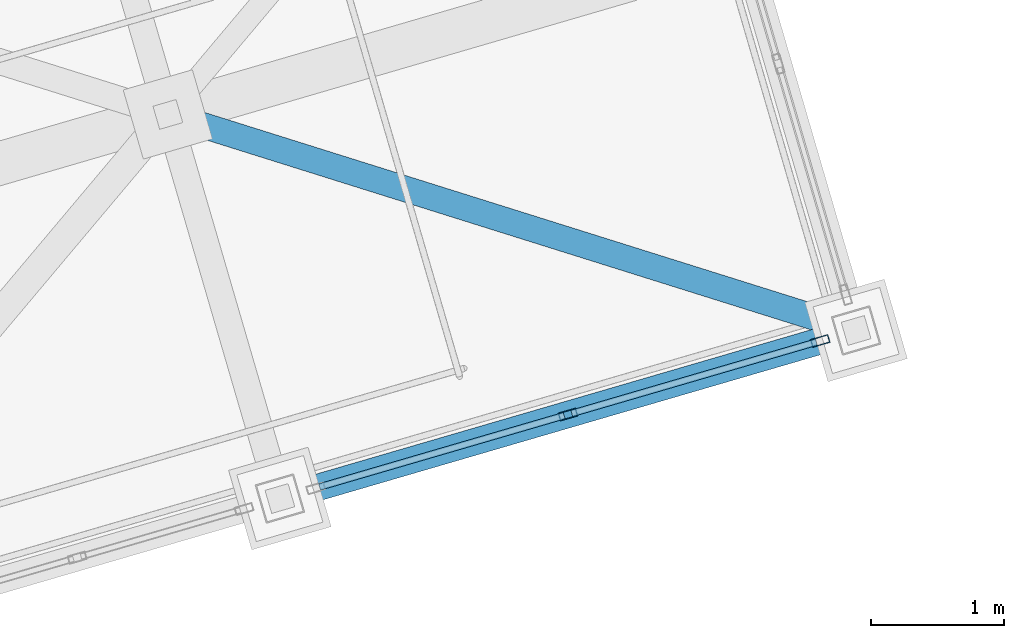
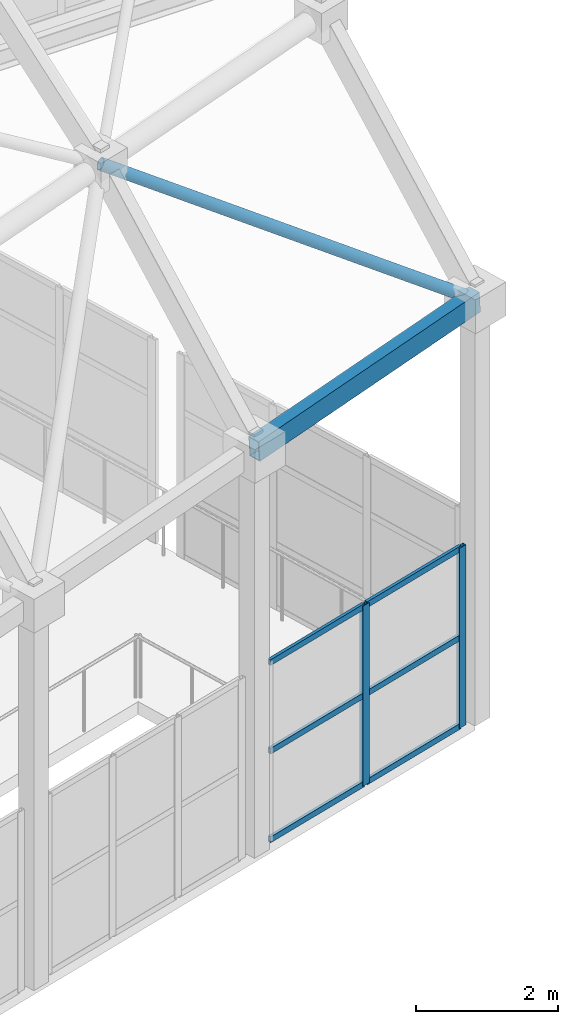
# One storey, part 70 of 248: 9 members, 1 beam, 1 element without a shape of its own.
"""IFC4 building model written with IfcOpenShell, lengths in metres."""

from ifc_helpers import new_model, si_unit, direction, frame, origin, origin_2d, place, context, subcontext, project, spatial, hollow_rectangle, hollow_circle, extrude, material, layer, layer_set, material_profile, profile_set, type_object, element, aggregate, save


model = new_model("IFC4")

# Units and contexts
model_context = context("Model", 3, precision=1e-05, world=origin(), true_north=direction((0.0, 1.0)))
body_context = subcontext(model_context, "Body", "Model", "MODEL_VIEW")
ifc_project = project(units=[si_unit("LENGTHUNIT", "METRE"), si_unit("AREAUNIT", "SQUARE_METRE"), si_unit("VOLUMEUNIT", "CUBIC_METRE"), si_unit("PLANEANGLEUNIT", "RADIAN"), si_unit("MASSUNIT", "GRAM", prefix="KILO")], contexts=[model_context])

# Site, building, storey
site_placement = place(None, origin())
site = spatial("IfcSite", under=ifc_project, at=site_placement, CompositionType="ELEMENT")
building_placement = place(site_placement, origin())
building = spatial("IfcBuilding", under=site, at=building_placement, Name="Canggui Botanical Conservatory", CompositionType="ELEMENT")
storey_placement = place(building_placement, frame((0.0, 0.0, 5.39990234375)))
storey = spatial("IfcBuildingStorey", under=building, at=storey_placement, Name="L02", CompositionType="ELEMENT", Elevation=5.39990234375)

# Beam
ifc_material_1 = material(Name="Steel Q355C", Category="steel")
ifc_material_profile_1 = material_profile(ifc_material_1, hollow_rectangle(XDim=0.199951171875, YDim=0.35009765625, WallThickness=0.011962890625, at=origin_2d()), Name="RHS 200x350x12")
ifc_profile_set_1 = profile_set([ifc_material_profile_1], Name="Steel Q355C")
beam_type = type_object("IfcBeamType", Name="BM-RING01", PredefinedType="BEAM", material=ifc_profile_set_1)
beam_placement = place(storey_placement, frame((67.52001953125, 55.860107421875, 6.900146484375), z_axis=(0.957873732332, 0.279377583078, 0.066528783105), x_axis=(-0.279997916698, 0.960000607627, 0.0)))
element("IfcBeam", 1, at=beam_placement, inside=storey, type_object=beam_type, Name="Conservatory Perimeter Ring Beam V0-14", PredefinedType="BEAM", context=body_context, shape_type="SweptSolid", body=[
    extrude(hollow_rectangle(XDim=0.199951171875, YDim=0.35009765625, WallThickness=0.011962890625, at=origin_2d()), origin(), (0.0, 0.0, 1.0), 4.510009765625),
])

# Curtain wall, members
ifc_material_2 = material(Name="Thermally Broken Aluminium", Category="aluminium")
ifc_layer = layer(ifc_material_2, 0.135009765625, Name="Thermally Broken Aluminium", Category="aluminium")
ifc_layer_set = layer_set([ifc_layer], Name="Thermally Broken Aluminium")
curtain_wall_type = type_object("IfcCurtainWallType", Name="CW-STICK-A", PredefinedType="USERDEFINED", material=ifc_layer_set)
curtain_wall_placement = place(storey_placement, origin())
curtain_wall = element("IfcCurtainWall", 2, at=curtain_wall_placement, inside=storey, type_object=curtain_wall_type, Name="Facade Curtain Wall CW-CONS-L02-V0-14", ObjectType="STICK GLAZED WALL", PredefinedType="USERDEFINED")
ifc_material_profile_2 = material_profile(ifc_material_2, hollow_rectangle(XDim=0.06005859375, YDim=0.135009765625, WallThickness=0.00341796875, at=origin_2d()), Name="CWM 60x135x3.5")
ifc_profile_set_2 = profile_set([ifc_material_profile_2], Name="Thermally Broken Aluminium")
member_type_1 = type_object("IfcMemberType", Name="CWM-04", PredefinedType="MULLION", material=ifc_profile_set_2)
member_1_placement = place(storey_placement, frame((71.5712890625, 57.04150390625, 0.0), z_axis=(0.0, 0.0, 1.0), x_axis=(0.279999999995, -0.960000000002, 0.0)))
member_1 = element("IfcMember", 3, at=member_1_placement, type_object=member_type_1, Name="CW-04 mullion 1", PredefinedType="MULLION", context=body_context, shape_type="SweptSolid", body=[
    extrude(hollow_rectangle(XDim=0.06005859375, YDim=0.135009765625, WallThickness=0.00341796875, at=origin_2d()), origin(), (0.0, 0.0, 1.0), 3.10009765625),
])
member_2_placement = place(storey_placement, frame((69.679931640625, 56.489990234375, 0.0), z_axis=(0.0, 0.0, 1.0), x_axis=(0.279999999995, -0.960000000002, 0.0)))
member_2 = element("IfcMember", 4, at=member_2_placement, type_object=member_type_1, Name="CW-04 mullion 2", PredefinedType="MULLION", context=body_context, shape_type="SweptSolid", body=[
    extrude(hollow_rectangle(XDim=0.06005859375, YDim=0.135009765625, WallThickness=0.00341796875, at=origin_2d()), origin(), (0.0, 0.0, 1.0), 3.10009765625),
])
ifc_material_profile_3 = material_profile(ifc_material_2, hollow_rectangle(XDim=0.050048828125, YDim=0.10009765625, WallThickness=0.0029296875, at=origin_2d()), Name="CWT 50x100x3")
ifc_profile_set_3 = profile_set([ifc_material_profile_3], Name="Thermally Broken Aluminium")
member_type_2 = type_object("IfcMemberType", Name="CWT-04", PredefinedType="USERDEFINED", material=ifc_profile_set_3)
member_3_placement = place(storey_placement, frame((71.54248046875, 57.033203125, 0.025146484375), z_axis=(-0.959989978987, -0.280034355473, 0.0), x_axis=(0.280034355473, -0.959989978987, 0.0)))
member_3 = element("IfcMember", 5, at=member_3_placement, type_object=member_type_2, Name="CW-04 transom 1.1", ObjectType="TRANSOM", PredefinedType="USERDEFINED", context=body_context, shape_type="SweptSolid", body=[
    extrude(hollow_rectangle(XDim=0.050048828125, YDim=0.10009765625, WallThickness=0.0029296875, at=origin_2d()), origin(), (0.0, 0.0, 1.0), 1.91015625),
])
member_4_placement = place(storey_placement, frame((71.54248046875, 57.033203125, 1.550048828125), z_axis=(-0.959989978987, -0.280034355473, 0.0), x_axis=(0.280034355473, -0.959989978987, 0.0)))
member_4 = element("IfcMember", 6, at=member_4_placement, type_object=member_type_2, Name="CW-04 transom 1.2", ObjectType="TRANSOM", PredefinedType="USERDEFINED", context=body_context, shape_type="SweptSolid", body=[
    extrude(hollow_rectangle(XDim=0.050048828125, YDim=0.10009765625, WallThickness=0.0029296875, at=origin_2d()), origin(), (0.0, 0.0, 1.0), 1.91015625),
])
member_5_placement = place(storey_placement, frame((71.54248046875, 57.033203125, 3.0751953125), z_axis=(-0.959989978987, -0.280034355473, 0.0), x_axis=(0.280034355473, -0.959989978987, 0.0)))
member_5 = element("IfcMember", 7, at=member_5_placement, type_object=member_type_2, Name="CW-04 transom 1.3", ObjectType="TRANSOM", PredefinedType="USERDEFINED", context=body_context, shape_type="SweptSolid", body=[
    extrude(hollow_rectangle(XDim=0.050048828125, YDim=0.10009765625, WallThickness=0.0029296875, at=origin_2d()), origin(), (0.0, 0.0, 1.0), 1.91015625),
])
member_6_placement = place(storey_placement, frame((69.651123046875, 56.481689453125, 0.025146484375), z_axis=(-0.959979954284, -0.280068719019, 0.0), x_axis=(0.280068719019, -0.959979954284, 0.0)))
member_6 = element("IfcMember", 8, at=member_6_placement, type_object=member_type_2, Name="CW-04 transom 2.1", ObjectType="TRANSOM", PredefinedType="USERDEFINED", context=body_context, shape_type="SweptSolid", body=[
    extrude(hollow_rectangle(XDim=0.050048828125, YDim=0.10009765625, WallThickness=0.0029296875, at=origin_2d()), origin(), (0.0, 0.0, 1.0), 1.909912109375),
])
member_7_placement = place(storey_placement, frame((69.651123046875, 56.481689453125, 1.550048828125), z_axis=(-0.959979954284, -0.280068719019, 0.0), x_axis=(0.280068719019, -0.959979954284, 0.0)))
member_7 = element("IfcMember", 9, at=member_7_placement, type_object=member_type_2, Name="CW-04 transom 2.2", ObjectType="TRANSOM", PredefinedType="USERDEFINED", context=body_context, shape_type="SweptSolid", body=[
    extrude(hollow_rectangle(XDim=0.050048828125, YDim=0.10009765625, WallThickness=0.0029296875, at=origin_2d()), origin(), (0.0, 0.0, 1.0), 1.909912109375),
])
member_8_placement = place(storey_placement, frame((69.651123046875, 56.481689453125, 3.0751953125), z_axis=(-0.959979954284, -0.280068719019, 0.0), x_axis=(0.280068719019, -0.959979954284, 0.0)))
member_8 = element("IfcMember", 10, at=member_8_placement, type_object=member_type_2, Name="CW-04 transom 2.3", ObjectType="TRANSOM", PredefinedType="USERDEFINED", context=body_context, shape_type="SweptSolid", body=[
    extrude(hollow_rectangle(XDim=0.050048828125, YDim=0.10009765625, WallThickness=0.0029296875, at=origin_2d()), origin(), (0.0, 0.0, 1.0), 1.909912109375),
])
aggregate(curtain_wall, [member_1, member_2, member_3, member_4, member_5, member_6, member_7, member_8])

# Member
ifc_material_profile_4 = material_profile(ifc_material_1, hollow_circle(Radius=0.096923828125, WallThickness=0.008056640625, at=origin_2d()), Name="CHS 194x8")
ifc_profile_set_4 = profile_set([ifc_material_profile_4], Name="Steel Q355C")
member_type_3 = type_object("IfcMemberType", Name="MEM-GSD02", PredefinedType="RAFTER", material=ifc_profile_set_4)
member_9_placement = place(storey_placement, frame((66.679931640625, 58.739990234375, 10.356201171875), z_axis=(0.82405407879, -0.258686544889, -0.504000145558), x_axis=(0.299508482413, 0.954093637419, 0.0)))
element("IfcMember", 11, at=member_9_placement, inside=storey, type_object=member_type_3, Name="Conservatory Gridshell Diagrid Rafter 14-1", PredefinedType="RAFTER", context=body_context, shape_type="SweptSolid", body=[
    extrude(hollow_circle(Radius=0.096923828125, WallThickness=0.008056640625, at=origin_2d()), origin(), (0.0, 0.0, 1.0), 6.261962890625),
])

save(model, "model.ifc")
